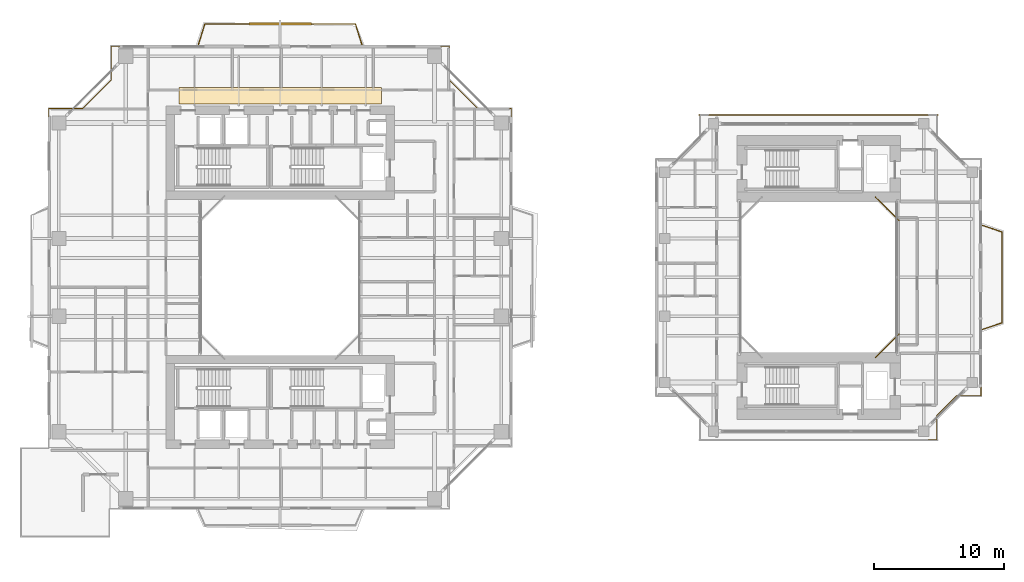
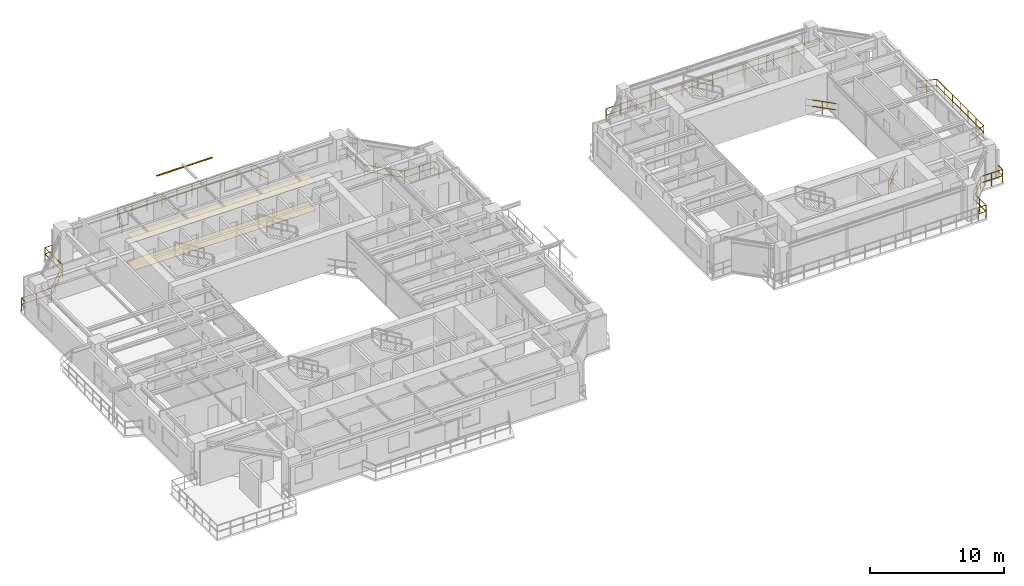
# One storey, part 22 of 23: 8 railings, 2 coverings, 1 shading device.
"""IFC4 building model written with IfcOpenShell, lengths in metres."""

from ifc_helpers import new_model, si_unit, direction, frame, origin, origin_2d, place, context, subcontext, project, spatial, polyline, rectangle, outline, extrude, source, transform, mapped, material, layer, layer_set, material_profile, profile_set, type_object, element, save


model = new_model("IFC4")

# Units and contexts
model_context = context("Model", 3, precision=1e-05, world=origin(), true_north=direction((0.0, 1.0)))
body_context = subcontext(model_context, "Body", "Model", "MODEL_VIEW")
ifc_project = project(units=[si_unit("LENGTHUNIT", "METRE"), si_unit("AREAUNIT", "SQUARE_METRE"), si_unit("VOLUMEUNIT", "CUBIC_METRE"), si_unit("PLANEANGLEUNIT", "RADIAN"), si_unit("MASSUNIT", "GRAM", prefix="KILO"), si_unit("THERMODYNAMICTEMPERATUREUNIT", "KELVIN"), si_unit("POWERUNIT", "WATT")], contexts=[model_context])

# Site, building, storey
site_placement = place(None, origin())
site = spatial("IfcSite", under=ifc_project, at=site_placement, CompositionType="ELEMENT")
building_placement = place(site_placement, origin())
building = spatial("IfcBuilding", under=site, at=building_placement, Name="Qiaomeng Ring Towers", CompositionType="ELEMENT")
storey_placement = place(building_placement, frame((0.0, 0.0, 103.5)))
storey = spatial("IfcBuildingStorey", under=building, at=storey_placement, Name="L29", CompositionType="ELEMENT", Elevation=103.5)

# Coverings
ifc_material_1 = material(Name="Moisture-resistant gypsum ceiling board", Category="gypsum")
ifc_layer_1 = layer(ifc_material_1, 0.030029296875, Name="Moisture-resistant gypsum ceiling board")
ifc_layer_set_1 = layer_set([ifc_layer_1], Name="Moisture-resistant gypsum ceiling board")
covering_type_1 = type_object("IfcCoveringType", Name="ARC-COV-CEIL2", PredefinedType="CEILING", material=ifc_layer_set_1)
covering_1_placement = place(storey_placement, frame((0.0, 0.0, 2.550048828125)))
element("IfcCovering", 1, at=covering_1_placement, inside=storey, type_object=covering_type_1, Name="L29 Corridor Acoustic Ceiling", PredefinedType="CEILING", context=body_context, shape_type="SweptSolid", body=[
    extrude(outline(polyline([(11.199951171875, 36.35009765625), (11.199951171875, 37.64990234375), (26.800048828125, 37.64990234375), (26.800048828125, 36.35009765625), (11.199951171875, 36.35009765625)])), origin(), (0.0, 0.0, 1.0), 0.02490234375),
])
ifc_material_2 = material(Name="Vitrified porcelain floor tile", Category="ceramic")
ifc_layer_2 = layer(ifc_material_2, 0.02001953125, Name="Vitrified porcelain floor tile")
ifc_layer_set_2 = layer_set([ifc_layer_2], Name="Vitrified porcelain floor tile")
covering_type_2 = type_object("IfcCoveringType", Name="ARC-COV-FLR1", PredefinedType="FLOORING", material=ifc_layer_set_2)
covering_2_placement = place(storey_placement, origin())
element("IfcCovering", 2, at=covering_2_placement, inside=storey, type_object=covering_type_2, Name="L29 Corridor Stone Flooring", PredefinedType="FLOORING", context=body_context, shape_type="SweptSolid", body=[
    extrude(outline(polyline([(11.199951171875, 36.35009765625), (11.199951171875, 37.64990234375), (26.800048828125, 37.64990234375), (26.800048828125, 36.35009765625), (11.199951171875, 36.35009765625)])), origin(), (0.0, 0.0, 1.0), 0.02001953125),
])

# Railings
ifc_material_3 = material(Name="Low-E pale-green laminated safety glass", Category="glass")
railing_type = type_object("IfcRailingType", Name="ARC-RL-BAL1", PredefinedType="BALUSTRADE", material=ifc_material_3)
railing_1_placement = place(storey_placement, frame((36.820068359375, 35.3701171875, 0.0)))
element("IfcRailing", 3, at=railing_1_placement, inside=storey, type_object=railing_type, Name="L29 Balustrade ARC-BAL-NOTCH1-L29-NE", PredefinedType="BALUSTRADE", context=body_context, shape_type="SweptSolid", body=[
    extrude(rectangle(XDim=0.048095703125, YDim=0.048095703125, at=origin_2d()), frame((0.0, 0.0, 1.17578125), z_axis=(0.0, 1.0, 0.0), x_axis=(-1.0, 0.0, 0.0)), (0.0, 0.0, 1.0), 0.64990234375),
    extrude(rectangle(XDim=0.048095703125, YDim=0.048095703125, at=origin_2d()), frame((0.0, 0.0, 0.60009765625), z_axis=(0.0, 1.0, 0.0), x_axis=(-1.0, 0.0, 0.0)), (0.0, 0.0, 1.0), 0.64990234375),
    extrude(rectangle(XDim=0.048095703125, YDim=0.048095703125, at=origin_2d()), frame((0.0, 0.64990234375, 1.17578125), z_axis=(-1.0, 0.0, 0.0), x_axis=(0.0, -1.0, 0.0)), (0.0, 0.0, 1.0), 2.60009765625),
    extrude(rectangle(XDim=0.048095703125, YDim=0.048095703125, at=origin_2d()), frame((0.0, 0.64990234375, 0.60009765625), z_axis=(-1.0, 0.0, 0.0), x_axis=(0.0, -1.0, 0.0)), (0.0, 0.0, 1.0), 2.60009765625),
    extrude(rectangle(XDim=0.048095703125, YDim=0.048095703125, at=origin_2d()), frame((-2.60009765625, 0.64990234375, 1.17578125), z_axis=(-0.707106781187, 0.707106781187, 0.0), x_axis=(-0.707106781187, -0.707106781187, 0.0)), (0.0, 0.0, 1.0), 3.111083984375),
    extrude(rectangle(XDim=0.048095703125, YDim=0.048095703125, at=origin_2d()), frame((-2.60009765625, 0.64990234375, 0.60009765625), z_axis=(-0.707106781187, 0.707106781187, 0.0), x_axis=(-0.707106781187, -0.707106781187, 0.0)), (0.0, 0.0, 1.0), 3.111083984375),
    extrude(rectangle(XDim=0.048095703125, YDim=0.048095703125, at=origin_2d()), frame((-4.800048828125, 2.849853515625, 1.17578125), z_axis=(0.0, 1.0, 0.0), x_axis=(-1.0, 0.0, 0.0)), (0.0, 0.0, 1.0), 2.60009765625),
    extrude(rectangle(XDim=0.048095703125, YDim=0.048095703125, at=origin_2d()), frame((-4.800048828125, 2.849853515625, 0.60009765625), z_axis=(0.0, 1.0, 0.0), x_axis=(-1.0, 0.0, 0.0)), (0.0, 0.0, 1.0), 2.60009765625),
    extrude(rectangle(XDim=0.048095703125, YDim=0.048095703125, at=origin_2d()), frame((-4.800048828125, 5.449951171875, 1.17578125), z_axis=(-1.0, 0.0, 0.0), x_axis=(0.0, -1.0, 0.0)), (0.0, 0.0, 1.0), 0.64990234375),
    extrude(rectangle(XDim=0.048095703125, YDim=0.048095703125, at=origin_2d()), frame((-4.800048828125, 5.449951171875, 0.60009765625), z_axis=(-1.0, 0.0, 0.0), x_axis=(0.0, -1.0, 0.0)), (0.0, 0.0, 1.0), 0.64990234375),
    extrude(rectangle(XDim=0.0419921875, YDim=0.0419921875, at=origin_2d()), origin(), (0.0, 0.0, 1.0), 1.15185546875),
    extrude(rectangle(XDim=0.0419921875, YDim=0.0419921875, at=origin_2d()), frame((0.0, 0.64990234375, 0.0)), (0.0, 0.0, 1.0), 1.15185546875),
    extrude(rectangle(XDim=0.0419921875, YDim=0.0419921875, at=origin_2d()), frame((-1.300048828125, 0.64990234375, 0.0)), (0.0, 0.0, 1.0), 1.15185546875),
    extrude(rectangle(XDim=0.0419921875, YDim=0.0419921875, at=origin_2d()), frame((-2.60009765625, 0.64990234375, 0.0)), (0.0, 0.0, 1.0), 1.15185546875),
    extrude(rectangle(XDim=0.0419921875, YDim=0.0419921875, at=origin_2d()), frame((-3.33349609375, 1.38330078125, 0.0)), (0.0, 0.0, 1.0), 1.15185546875),
    extrude(rectangle(XDim=0.0419921875, YDim=0.0419921875, at=origin_2d()), frame((-4.066650390625, 2.116455078125, 0.0)), (0.0, 0.0, 1.0), 1.15185546875),
    extrude(rectangle(XDim=0.0419921875, YDim=0.0419921875, at=origin_2d()), frame((-4.800048828125, 2.849853515625, 0.0)), (0.0, 0.0, 1.0), 1.15185546875),
    extrude(rectangle(XDim=0.0419921875, YDim=0.0419921875, at=origin_2d()), frame((-4.800048828125, 4.14990234375, 0.0)), (0.0, 0.0, 1.0), 1.15185546875),
    extrude(rectangle(XDim=0.0419921875, YDim=0.0419921875, at=origin_2d()), frame((-4.800048828125, 5.449951171875, 0.0)), (0.0, 0.0, 1.0), 1.15185546875),
    extrude(rectangle(XDim=0.0419921875, YDim=0.0419921875, at=origin_2d()), frame((-5.449951171875, 5.449951171875, 0.0)), (0.0, 0.0, 1.0), 1.15185546875),
])
railing_2_placement = place(storey_placement, frame((6.6298828125, 40.820068359375, 0.0)))
element("IfcRailing", 4, at=railing_2_placement, inside=storey, type_object=railing_type, Name="L29 Balustrade ARC-BAL-NOTCH1-L29-NW", PredefinedType="BALUSTRADE", context=body_context, shape_type="SweptSolid", body=[
    extrude(rectangle(XDim=0.048095703125, YDim=0.048095703125, at=origin_2d()), frame((0.0, 0.0, 1.17578125), z_axis=(-1.0, 0.0, 0.0), x_axis=(0.0, -1.0, 0.0)), (0.0, 0.0, 1.0), 0.64990234375),
    extrude(rectangle(XDim=0.048095703125, YDim=0.048095703125, at=origin_2d()), frame((0.0, 0.0, 0.60009765625), z_axis=(-1.0, 0.0, 0.0), x_axis=(0.0, -1.0, 0.0)), (0.0, 0.0, 1.0), 0.64990234375),
    extrude(rectangle(XDim=0.048095703125, YDim=0.048095703125, at=origin_2d()), frame((-0.64990234375, 0.0, 1.17578125), z_axis=(0.0, -1.0, 0.0), x_axis=(1.0, 0.0, 0.0)), (0.0, 0.0, 1.0), 2.60009765625),
    extrude(rectangle(XDim=0.048095703125, YDim=0.048095703125, at=origin_2d()), frame((-0.64990234375, 0.0, 0.60009765625), z_axis=(0.0, -1.0, 0.0), x_axis=(1.0, 0.0, 0.0)), (0.0, 0.0, 1.0), 2.60009765625),
    extrude(rectangle(XDim=0.048095703125, YDim=0.048095703125, at=origin_2d()), frame((-0.64990234375, -2.60009765625, 1.17578125), z_axis=(-0.707106781187, -0.707106781187, 0.0), x_axis=(0.707106781187, -0.707106781187, 0.0)), (0.0, 0.0, 1.0), 3.111083984375),
    extrude(rectangle(XDim=0.048095703125, YDim=0.048095703125, at=origin_2d()), frame((-0.64990234375, -2.60009765625, 0.60009765625), z_axis=(-0.707106781187, -0.707106781187, 0.0), x_axis=(0.707106781187, -0.707106781187, 0.0)), (0.0, 0.0, 1.0), 3.111083984375),
    extrude(rectangle(XDim=0.048095703125, YDim=0.048095703125, at=origin_2d()), frame((-2.849853515625, -4.800048828125, 1.17578125), z_axis=(-1.0, 0.0, 0.0), x_axis=(0.0, -1.0, 0.0)), (0.0, 0.0, 1.0), 2.60009765625),
    extrude(rectangle(XDim=0.048095703125, YDim=0.048095703125, at=origin_2d()), frame((-2.849853515625, -4.800048828125, 0.60009765625), z_axis=(-1.0, 0.0, 0.0), x_axis=(0.0, -1.0, 0.0)), (0.0, 0.0, 1.0), 2.60009765625),
    extrude(rectangle(XDim=0.048095703125, YDim=0.048095703125, at=origin_2d()), frame((-5.449951171875, -4.800048828125, 1.17578125), z_axis=(0.0, -1.0, 0.0), x_axis=(1.0, 0.0, 0.0)), (0.0, 0.0, 1.0), 0.64990234375),
    extrude(rectangle(XDim=0.048095703125, YDim=0.048095703125, at=origin_2d()), frame((-5.449951171875, -4.800048828125, 0.60009765625), z_axis=(0.0, -1.0, 0.0), x_axis=(1.0, 0.0, 0.0)), (0.0, 0.0, 1.0), 0.64990234375),
    extrude(rectangle(XDim=0.0419921875, YDim=0.0419921875, at=origin_2d()), origin(), (0.0, 0.0, 1.0), 1.15185546875),
    extrude(rectangle(XDim=0.0419921875, YDim=0.0419921875, at=origin_2d()), frame((-0.64990234375, 0.0, 0.0)), (0.0, 0.0, 1.0), 1.15185546875),
    extrude(rectangle(XDim=0.0419921875, YDim=0.0419921875, at=origin_2d()), frame((-0.64990234375, -1.300048828125, 0.0)), (0.0, 0.0, 1.0), 1.15185546875),
    extrude(rectangle(XDim=0.0419921875, YDim=0.0419921875, at=origin_2d()), frame((-0.64990234375, -2.60009765625, 0.0)), (0.0, 0.0, 1.0), 1.15185546875),
    extrude(rectangle(XDim=0.0419921875, YDim=0.0419921875, at=origin_2d()), frame((-1.38330078125, -3.33349609375, 0.0)), (0.0, 0.0, 1.0), 1.15185546875),
    extrude(rectangle(XDim=0.0419921875, YDim=0.0419921875, at=origin_2d()), frame((-2.116455078125, -4.066650390625, 0.0)), (0.0, 0.0, 1.0), 1.15185546875),
    extrude(rectangle(XDim=0.0419921875, YDim=0.0419921875, at=origin_2d()), frame((-2.849853515625, -4.800048828125, 0.0)), (0.0, 0.0, 1.0), 1.15185546875),
    extrude(rectangle(XDim=0.0419921875, YDim=0.0419921875, at=origin_2d()), frame((-4.14990234375, -4.800048828125, 0.0)), (0.0, 0.0, 1.0), 1.15185546875),
    extrude(rectangle(XDim=0.0419921875, YDim=0.0419921875, at=origin_2d()), frame((-5.449951171875, -4.800048828125, 0.0)), (0.0, 0.0, 1.0), 1.15185546875),
    extrude(rectangle(XDim=0.0419921875, YDim=0.0419921875, at=origin_2d()), frame((-5.449951171875, -5.449951171875, 0.0)), (0.0, 0.0, 1.0), 1.15185546875),
])
railing_3_placement = place(storey_placement, frame((12.699951171875, 40.949951171875, 0.0)))
element("IfcRailing", 5, at=railing_3_placement, inside=storey, type_object=railing_type, Name="L29 Balustrade ARC-BAL-L29-T1-N", PredefinedType="BALUSTRADE", context=body_context, shape_type="SweptSolid", body=[
    extrude(rectangle(XDim=0.048095703125, YDim=0.048095703125, at=origin_2d()), frame((0.0, 0.0, 1.17578125), z_axis=(0.299967512283, 0.953949417723, 0.0), x_axis=(-0.953949417723, 0.299967512283, 0.0)), (0.0, 0.0, 1.0), 1.666748046875),
    extrude(rectangle(XDim=0.048095703125, YDim=0.048095703125, at=origin_2d()), frame((0.0, 0.0, 0.60009765625), z_axis=(0.299967512283, 0.953949417723, 0.0), x_axis=(-0.953949417723, 0.299967512283, 0.0)), (0.0, 0.0, 1.0), 1.666748046875),
    extrude(rectangle(XDim=0.048095703125, YDim=0.048095703125, at=origin_2d()), frame((0.5, 1.590087890625, 1.17578125), z_axis=(1.0, 0.0, 0.0), x_axis=(0.0, 1.0, 0.0)), (0.0, 0.0, 1.0), 11.60009765625),
    extrude(rectangle(XDim=0.048095703125, YDim=0.048095703125, at=origin_2d()), frame((0.5, 1.590087890625, 0.60009765625), z_axis=(1.0, 0.0, 0.0), x_axis=(0.0, 1.0, 0.0)), (0.0, 0.0, 1.0), 11.60009765625),
    extrude(rectangle(XDim=0.048095703125, YDim=0.048095703125, at=origin_2d()), frame((12.10009765625, 1.590087890625, 1.17578125), z_axis=(0.299967512283, -0.953949417723, 0.0), x_axis=(0.953949417723, 0.299967512283, 0.0)), (0.0, 0.0, 1.0), 1.666748046875),
    extrude(rectangle(XDim=0.048095703125, YDim=0.048095703125, at=origin_2d()), frame((12.10009765625, 1.590087890625, 0.60009765625), z_axis=(0.299967512283, -0.953949417723, 0.0), x_axis=(0.953949417723, 0.299967512283, 0.0)), (0.0, 0.0, 1.0), 1.666748046875),
    extrude(rectangle(XDim=0.0419921875, YDim=0.0419921875, at=origin_2d()), origin(), (0.0, 0.0, 1.0), 1.15185546875),
    extrude(rectangle(XDim=0.0419921875, YDim=0.0419921875, at=origin_2d()), frame((0.25, 0.794921875, 0.0)), (0.0, 0.0, 1.0), 1.15185546875),
    extrude(rectangle(XDim=0.0419921875, YDim=0.0419921875, at=origin_2d()), frame((0.5, 1.590087890625, 0.0)), (0.0, 0.0, 1.0), 1.15185546875),
    extrude(rectangle(XDim=0.0419921875, YDim=0.0419921875, at=origin_2d()), frame((1.788818359375, 1.590087890625, 0.0)), (0.0, 0.0, 1.0), 1.15185546875),
    extrude(rectangle(XDim=0.0419921875, YDim=0.0419921875, at=origin_2d()), frame((3.077880859375, 1.590087890625, 0.0)), (0.0, 0.0, 1.0), 1.15185546875),
    extrude(rectangle(XDim=0.0419921875, YDim=0.0419921875, at=origin_2d()), frame((4.36669921875, 1.590087890625, 0.0)), (0.0, 0.0, 1.0), 1.15185546875),
    extrude(rectangle(XDim=0.0419921875, YDim=0.0419921875, at=origin_2d()), frame((5.655517578125, 1.590087890625, 0.0)), (0.0, 0.0, 1.0), 1.15185546875),
    extrude(rectangle(XDim=0.0419921875, YDim=0.0419921875, at=origin_2d()), frame((6.944580078125, 1.590087890625, 0.0)), (0.0, 0.0, 1.0), 1.15185546875),
    extrude(rectangle(XDim=0.0419921875, YDim=0.0419921875, at=origin_2d()), frame((8.2333984375, 1.590087890625, 0.0)), (0.0, 0.0, 1.0), 1.15185546875),
    extrude(rectangle(XDim=0.0419921875, YDim=0.0419921875, at=origin_2d()), frame((9.522216796875, 1.590087890625, 0.0)), (0.0, 0.0, 1.0), 1.15185546875),
    extrude(rectangle(XDim=0.0419921875, YDim=0.0419921875, at=origin_2d()), frame((10.811279296875, 1.590087890625, 0.0)), (0.0, 0.0, 1.0), 1.15185546875),
    extrude(rectangle(XDim=0.0419921875, YDim=0.0419921875, at=origin_2d()), frame((12.10009765625, 1.590087890625, 0.0)), (0.0, 0.0, 1.0), 1.15185546875),
    extrude(rectangle(XDim=0.0419921875, YDim=0.0419921875, at=origin_2d()), frame((12.35009765625, 0.794921875, 0.0)), (0.0, 0.0, 1.0), 1.15185546875),
    extrude(rectangle(XDim=0.0419921875, YDim=0.0419921875, at=origin_2d()), frame((12.60009765625, 0.0, 0.0)), (0.0, 0.0, 1.0), 1.15185546875),
])
railing_4_placement = place(storey_placement, frame((64.8798828125, 16.820068359375, 0.0)))
element("IfcRailing", 6, at=railing_4_placement, inside=storey, type_object=railing_type, Name="L29 Balustrade ARC-BAL-WELL2-L29-1", PredefinedType="BALUSTRADE", context=body_context, shape_type="SweptSolid", body=[
    extrude(rectangle(XDim=0.048095703125, YDim=0.048095703125, at=origin_2d()), frame((0.0, 0.0, 1.17578125), z_axis=(0.707106781187, 0.707106781187, 0.0), x_axis=(-0.707106781187, 0.707106781187, 0.0)), (0.0, 0.0, 1.0), 2.545654296875),
    extrude(rectangle(XDim=0.048095703125, YDim=0.048095703125, at=origin_2d()), frame((0.0, 0.0, 0.60009765625), z_axis=(0.707106781187, 0.707106781187, 0.0), x_axis=(-0.707106781187, 0.707106781187, 0.0)), (0.0, 0.0, 1.0), 2.545654296875),
    extrude(rectangle(XDim=0.0419921875, YDim=0.0419921875, at=origin_2d()), origin(), (0.0, 0.0, 1.0), 1.15185546875),
    extrude(rectangle(XDim=0.0419921875, YDim=0.0419921875, at=origin_2d()), frame((0.89990234375, 0.89990234375, 0.0)), (0.0, 0.0, 1.0), 1.15185546875),
    extrude(rectangle(XDim=0.0419921875, YDim=0.0419921875, at=origin_2d()), frame((1.800048828125, 1.800048828125, 0.0)), (0.0, 0.0, 1.0), 1.15185546875),
])
railing_5_placement = place(storey_placement, frame((66.679931640625, 27.3798828125, 0.0)))
element("IfcRailing", 7, at=railing_5_placement, inside=storey, type_object=railing_type, Name="L29 Balustrade ARC-BAL-WELL2-L29-2", PredefinedType="BALUSTRADE", context=body_context, shape_type="SweptSolid", body=[
    extrude(rectangle(XDim=0.048095703125, YDim=0.048095703125, at=origin_2d()), frame((0.0, 0.0, 1.17578125), z_axis=(-0.707106781187, 0.707106781187, 0.0), x_axis=(-0.707106781187, -0.707106781187, 0.0)), (0.0, 0.0, 1.0), 2.545654296875),
    extrude(rectangle(XDim=0.048095703125, YDim=0.048095703125, at=origin_2d()), frame((0.0, 0.0, 0.60009765625), z_axis=(-0.707106781187, 0.707106781187, 0.0), x_axis=(-0.707106781187, -0.707106781187, 0.0)), (0.0, 0.0, 1.0), 2.545654296875),
    extrude(rectangle(XDim=0.0419921875, YDim=0.0419921875, at=origin_2d()), origin(), (0.0, 0.0, 1.0), 1.15185546875),
    extrude(rectangle(XDim=0.0419921875, YDim=0.0419921875, at=origin_2d()), frame((-0.89990234375, 0.89990234375, 0.0)), (0.0, 0.0, 1.0), 1.15185546875),
    extrude(rectangle(XDim=0.0419921875, YDim=0.0419921875, at=origin_2d()), frame((-1.800048828125, 1.800048828125, 0.0)), (0.0, 0.0, 1.0), 1.15185546875),
])
railing_6_placement = place(storey_placement, frame((68.969970703125, 10.47998046875, 0.0)))
element("IfcRailing", 8, at=railing_6_placement, inside=storey, type_object=railing_type, Name="L29 Balustrade ARC-BAL-NOTCH2-L29-SE", PredefinedType="BALUSTRADE", context=body_context, shape_type="SweptSolid", body=[
    extrude(rectangle(XDim=0.048095703125, YDim=0.048095703125, at=origin_2d()), frame((0.0, 0.0, 1.17578125), z_axis=(1.0, 0.0, 0.0), x_axis=(0.0, 1.0, 0.0)), (0.0, 0.0, 1.0), 0.650146484375),
    extrude(rectangle(XDim=0.048095703125, YDim=0.048095703125, at=origin_2d()), frame((0.0, 0.0, 0.60009765625), z_axis=(1.0, 0.0, 0.0), x_axis=(0.0, 1.0, 0.0)), (0.0, 0.0, 1.0), 0.650146484375),
    extrude(rectangle(XDim=0.048095703125, YDim=0.048095703125, at=origin_2d()), frame((0.650146484375, 0.0, 1.17578125), z_axis=(0.0, 1.0, 0.0), x_axis=(-1.0, 0.0, 0.0)), (0.0, 0.0, 1.0), 1.89990234375),
    extrude(rectangle(XDim=0.048095703125, YDim=0.048095703125, at=origin_2d()), frame((0.650146484375, 0.0, 0.60009765625), z_axis=(0.0, 1.0, 0.0), x_axis=(-1.0, 0.0, 0.0)), (0.0, 0.0, 1.0), 1.89990234375),
    extrude(rectangle(XDim=0.048095703125, YDim=0.048095703125, at=origin_2d()), frame((0.650146484375, 1.89990234375, 1.17578125), z_axis=(0.707106781187, 0.707106781187, 0.0), x_axis=(-0.707106781187, 0.707106781187, 0.0)), (0.0, 0.0, 1.0), 2.121337890625),
    extrude(rectangle(XDim=0.048095703125, YDim=0.048095703125, at=origin_2d()), frame((0.650146484375, 1.89990234375, 0.60009765625), z_axis=(0.707106781187, 0.707106781187, 0.0), x_axis=(-0.707106781187, 0.707106781187, 0.0)), (0.0, 0.0, 1.0), 2.121337890625),
    extrude(rectangle(XDim=0.048095703125, YDim=0.048095703125, at=origin_2d()), frame((2.150146484375, 3.39990234375, 1.17578125), z_axis=(1.0, 0.0, 0.0), x_axis=(0.0, 1.0, 0.0)), (0.0, 0.0, 1.0), 1.89990234375),
    extrude(rectangle(XDim=0.048095703125, YDim=0.048095703125, at=origin_2d()), frame((2.150146484375, 3.39990234375, 0.60009765625), z_axis=(1.0, 0.0, 0.0), x_axis=(0.0, 1.0, 0.0)), (0.0, 0.0, 1.0), 1.89990234375),
    extrude(rectangle(XDim=0.048095703125, YDim=0.048095703125, at=origin_2d()), frame((4.050048828125, 3.39990234375, 1.17578125), z_axis=(0.0, 1.0, 0.0), x_axis=(-1.0, 0.0, 0.0)), (0.0, 0.0, 1.0), 0.650146484375),
    extrude(rectangle(XDim=0.048095703125, YDim=0.048095703125, at=origin_2d()), frame((4.050048828125, 3.39990234375, 0.60009765625), z_axis=(0.0, 1.0, 0.0), x_axis=(-1.0, 0.0, 0.0)), (0.0, 0.0, 1.0), 0.650146484375),
    extrude(rectangle(XDim=0.0419921875, YDim=0.0419921875, at=origin_2d()), origin(), (0.0, 0.0, 1.0), 1.15185546875),
    extrude(rectangle(XDim=0.0419921875, YDim=0.0419921875, at=origin_2d()), frame((0.650146484375, 0.0, 0.0)), (0.0, 0.0, 1.0), 1.15185546875),
    extrude(rectangle(XDim=0.0419921875, YDim=0.0419921875, at=origin_2d()), frame((0.650146484375, 0.949951171875, 0.0)), (0.0, 0.0, 1.0), 1.15185546875),
    extrude(rectangle(XDim=0.0419921875, YDim=0.0419921875, at=origin_2d()), frame((0.650146484375, 1.89990234375, 0.0)), (0.0, 0.0, 1.0), 1.15185546875),
    extrude(rectangle(XDim=0.0419921875, YDim=0.0419921875, at=origin_2d()), frame((1.400146484375, 2.64990234375, 0.0)), (0.0, 0.0, 1.0), 1.15185546875),
    extrude(rectangle(XDim=0.0419921875, YDim=0.0419921875, at=origin_2d()), frame((2.150146484375, 3.39990234375, 0.0)), (0.0, 0.0, 1.0), 1.15185546875),
    extrude(rectangle(XDim=0.0419921875, YDim=0.0419921875, at=origin_2d()), frame((3.10009765625, 3.39990234375, 0.0)), (0.0, 0.0, 1.0), 1.15185546875),
    extrude(rectangle(XDim=0.0419921875, YDim=0.0419921875, at=origin_2d()), frame((4.050048828125, 3.39990234375, 0.0)), (0.0, 0.0, 1.0), 1.15185546875),
    extrude(rectangle(XDim=0.0419921875, YDim=0.0419921875, at=origin_2d()), frame((4.050048828125, 4.050048828125, 0.0)), (0.0, 0.0, 1.0), 1.15185546875),
])
railing_7_placement = place(storey_placement, frame((51.300048828125, 35.52001953125, 0.0)))
element("IfcRailing", 9, at=railing_7_placement, inside=storey, type_object=railing_type, Name="L29 Balustrade ARC-BAL-T2N-L29", PredefinedType="BALUSTRADE", context=body_context, shape_type="SweptSolid", body=[
    extrude(rectangle(XDim=0.048095703125, YDim=0.048095703125, at=origin_2d()), frame((0.0, 0.0, 1.17578125), z_axis=(1.0, 0.0, 0.0), x_axis=(0.0, 1.0, 0.0)), (0.0, 0.0, 1.0), 18.39990234375),
    extrude(rectangle(XDim=0.048095703125, YDim=0.048095703125, at=origin_2d()), frame((0.0, 0.0, 0.60009765625), z_axis=(1.0, 0.0, 0.0), x_axis=(0.0, 1.0, 0.0)), (0.0, 0.0, 1.0), 18.39990234375),
    extrude(rectangle(XDim=0.0419921875, YDim=0.0419921875, at=origin_2d()), origin(), (0.0, 0.0, 1.0), 1.15185546875),
    extrude(rectangle(XDim=0.0419921875, YDim=0.0419921875, at=origin_2d()), frame((1.314208984375, 0.0, 0.0)), (0.0, 0.0, 1.0), 1.15185546875),
    extrude(rectangle(XDim=0.0419921875, YDim=0.0419921875, at=origin_2d()), frame((2.628662109375, 0.0, 0.0)), (0.0, 0.0, 1.0), 1.15185546875),
    extrude(rectangle(XDim=0.0419921875, YDim=0.0419921875, at=origin_2d()), frame((3.94287109375, 0.0, 0.0)), (0.0, 0.0, 1.0), 1.15185546875),
    extrude(rectangle(XDim=0.0419921875, YDim=0.0419921875, at=origin_2d()), frame((5.257080078125, 0.0, 0.0)), (0.0, 0.0, 1.0), 1.15185546875),
    extrude(rectangle(XDim=0.0419921875, YDim=0.0419921875, at=origin_2d()), frame((6.5712890625, 0.0, 0.0)), (0.0, 0.0, 1.0), 1.15185546875),
    extrude(rectangle(XDim=0.0419921875, YDim=0.0419921875, at=origin_2d()), frame((7.8857421875, 0.0, 0.0)), (0.0, 0.0, 1.0), 1.15185546875),
    extrude(rectangle(XDim=0.0419921875, YDim=0.0419921875, at=origin_2d()), frame((9.199951171875, 0.0, 0.0)), (0.0, 0.0, 1.0), 1.15185546875),
    extrude(rectangle(XDim=0.0419921875, YDim=0.0419921875, at=origin_2d()), frame((10.51416015625, 0.0, 0.0)), (0.0, 0.0, 1.0), 1.15185546875),
    extrude(rectangle(XDim=0.0419921875, YDim=0.0419921875, at=origin_2d()), frame((11.82861328125, 0.0, 0.0)), (0.0, 0.0, 1.0), 1.15185546875),
    extrude(rectangle(XDim=0.0419921875, YDim=0.0419921875, at=origin_2d()), frame((13.142822265625, 0.0, 0.0)), (0.0, 0.0, 1.0), 1.15185546875),
    extrude(rectangle(XDim=0.0419921875, YDim=0.0419921875, at=origin_2d()), frame((14.45703125, 0.0, 0.0)), (0.0, 0.0, 1.0), 1.15185546875),
    extrude(rectangle(XDim=0.0419921875, YDim=0.0419921875, at=origin_2d()), frame((15.771240234375, 0.0, 0.0)), (0.0, 0.0, 1.0), 1.15185546875),
    extrude(rectangle(XDim=0.0419921875, YDim=0.0419921875, at=origin_2d()), frame((17.085693359375, 0.0, 0.0)), (0.0, 0.0, 1.0), 1.15185546875),
    extrude(rectangle(XDim=0.0419921875, YDim=0.0419921875, at=origin_2d()), frame((18.39990234375, 0.0, 0.0)), (0.0, 0.0, 1.0), 1.15185546875),
])
railing_8_placement = place(storey_placement, frame((73.14990234375, 19.0, 0.0)))
element("IfcRailing", 10, at=railing_8_placement, inside=storey, type_object=railing_type, Name="L29 Balustrade ARC-BAL-L29-T2-E", PredefinedType="BALUSTRADE", context=body_context, shape_type="SweptSolid", body=[
    extrude(rectangle(XDim=0.048095703125, YDim=0.048095703125, at=origin_2d()), frame((0.0, 0.0, 1.17578125), z_axis=(0.948044476945, 0.318137815629, 0.0), x_axis=(-0.318137815629, 0.948044476945, 0.0)), (0.0, 0.0, 1.0), 1.571533203125),
    extrude(rectangle(XDim=0.048095703125, YDim=0.048095703125, at=origin_2d()), frame((0.0, 0.0, 0.60009765625), z_axis=(0.948044476945, 0.318137815629, 0.0), x_axis=(-0.318137815629, 0.948044476945, 0.0)), (0.0, 0.0, 1.0), 1.571533203125),
    extrude(rectangle(XDim=0.048095703125, YDim=0.048095703125, at=origin_2d()), frame((1.489990234375, 0.5, 1.17578125), z_axis=(0.0, 1.0, 0.0), x_axis=(-1.0, 0.0, 0.0)), (0.0, 0.0, 1.0), 7.0),
    extrude(rectangle(XDim=0.048095703125, YDim=0.048095703125, at=origin_2d()), frame((1.489990234375, 0.5, 0.60009765625), z_axis=(0.0, 1.0, 0.0), x_axis=(-1.0, 0.0, 0.0)), (0.0, 0.0, 1.0), 7.0),
    extrude(rectangle(XDim=0.048095703125, YDim=0.048095703125, at=origin_2d()), frame((1.489990234375, 7.5, 1.17578125), z_axis=(-0.948044476945, 0.318137815629, 0.0), x_axis=(-0.318137815629, -0.948044476945, 0.0)), (0.0, 0.0, 1.0), 1.571533203125),
    extrude(rectangle(XDim=0.048095703125, YDim=0.048095703125, at=origin_2d()), frame((1.489990234375, 7.5, 0.60009765625), z_axis=(-0.948044476945, 0.318137815629, 0.0), x_axis=(-0.318137815629, -0.948044476945, 0.0)), (0.0, 0.0, 1.0), 1.571533203125),
    extrude(rectangle(XDim=0.0419921875, YDim=0.0419921875, at=origin_2d()), origin(), (0.0, 0.0, 1.0), 1.15185546875),
    extrude(rectangle(XDim=0.0419921875, YDim=0.0419921875, at=origin_2d()), frame((0.7451171875, 0.25, 0.0)), (0.0, 0.0, 1.0), 1.15185546875),
    extrude(rectangle(XDim=0.0419921875, YDim=0.0419921875, at=origin_2d()), frame((1.489990234375, 0.5, 0.0)), (0.0, 0.0, 1.0), 1.15185546875),
    extrude(rectangle(XDim=0.0419921875, YDim=0.0419921875, at=origin_2d()), frame((1.489990234375, 1.666748046875, 0.0)), (0.0, 0.0, 1.0), 1.15185546875),
    extrude(rectangle(XDim=0.0419921875, YDim=0.0419921875, at=origin_2d()), frame((1.489990234375, 2.833251953125, 0.0)), (0.0, 0.0, 1.0), 1.15185546875),
    extrude(rectangle(XDim=0.0419921875, YDim=0.0419921875, at=origin_2d()), frame((1.489990234375, 4.0, 0.0)), (0.0, 0.0, 1.0), 1.15185546875),
    extrude(rectangle(XDim=0.0419921875, YDim=0.0419921875, at=origin_2d()), frame((1.489990234375, 5.166748046875, 0.0)), (0.0, 0.0, 1.0), 1.15185546875),
    extrude(rectangle(XDim=0.0419921875, YDim=0.0419921875, at=origin_2d()), frame((1.489990234375, 6.333251953125, 0.0)), (0.0, 0.0, 1.0), 1.15185546875),
    extrude(rectangle(XDim=0.0419921875, YDim=0.0419921875, at=origin_2d()), frame((1.489990234375, 7.5, 0.0)), (0.0, 0.0, 1.0), 1.15185546875),
    extrude(rectangle(XDim=0.0419921875, YDim=0.0419921875, at=origin_2d()), frame((0.7451171875, 7.75, 0.0)), (0.0, 0.0, 1.0), 1.15185546875),
    extrude(rectangle(XDim=0.0419921875, YDim=0.0419921875, at=origin_2d()), frame((0.0, 8.0, 0.0)), (0.0, 0.0, 1.0), 1.15185546875),
])

# Shading device
ifc_material_4 = material(Name="Fluorocarbon dark-grey aluminium", Category="aluminium")
ifc_material_profile = material_profile(ifc_material_4, rectangle(XDim=0.14990234375, YDim=0.034912109375, at=origin_2d()), Name="LV BLADE 150x35")
ifc_profile_set = profile_set([ifc_material_profile], Name="Fluorocarbon dark-grey aluminium")
shading_device_type = type_object("IfcShadingDeviceType", Name="ARC-SHD-SUN", PredefinedType="AWNING", material=ifc_profile_set)
shared_shape = source(origin(), body_context, "Body", "SweptSolid", [
    extrude(rectangle(XDim=0.14990234375, YDim=0.034912109375, at=origin_2d()), origin(), (0.0, 0.0, 1.0), 4.7998046875),
])
shading_device_placement = place(storey_placement, frame((16.60009765625, 42.5400390625, 2.969970703125), z_axis=(1.0, 0.0, 0.0), x_axis=(0.0, 1.0, 0.0)))
element("IfcShadingDevice", 11, at=shading_device_placement, inside=storey, type_object=shading_device_type, Name="L29 Ventilated Outer-Skin Sunshade N", PredefinedType="AWNING", context=body_context, shape_type="MappedRepresentation", body=[
    mapped(shared_shape, transform((0.0, 0.0, 0.0), x_axis=(1.0, 0.0, 0.0), y_axis=(0.0, 1.0, 0.0), z_axis=(0.0, 0.0, 1.0), scale=1.0)),
])

save(model, "model.ifc")
